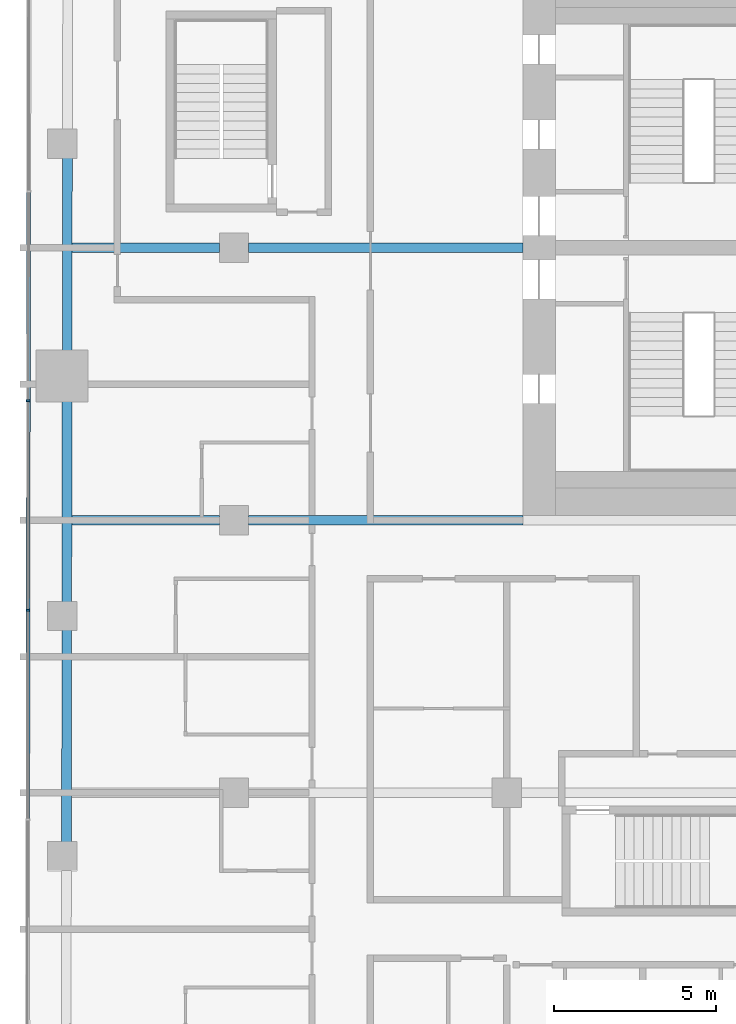
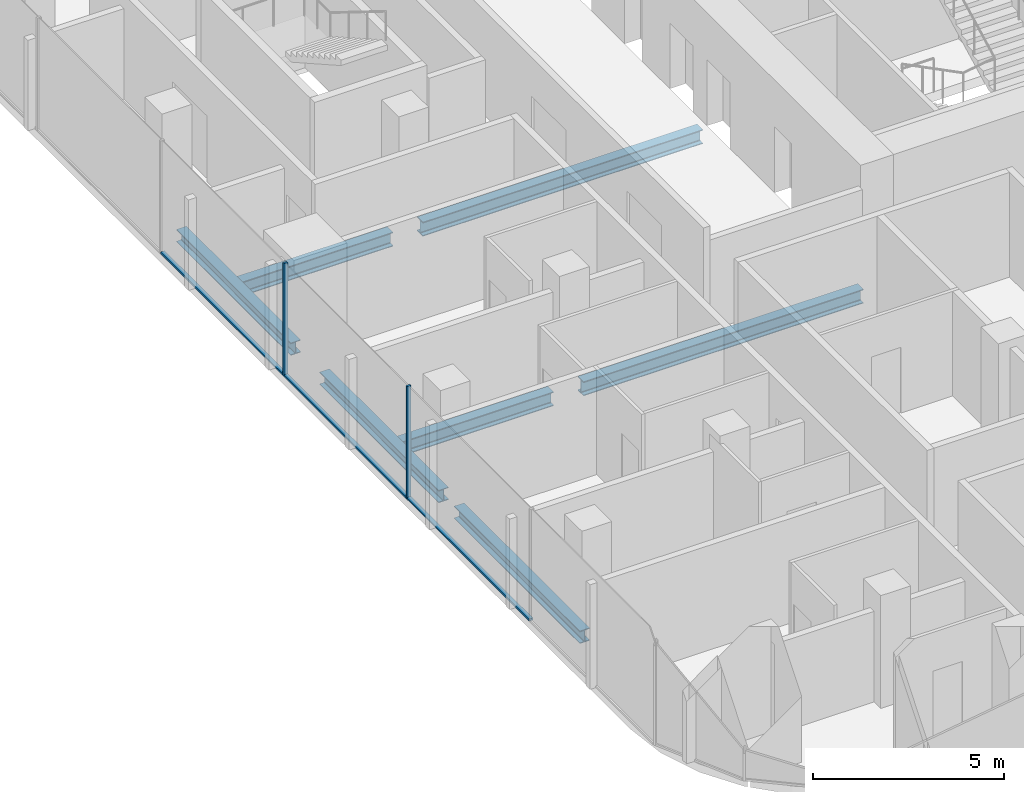
# One storey, part 4 of 23: 7 beams, 5 members, 1 element without a shape of its own.
"""IFC4 building model written with IfcOpenShell, lengths in metres."""

from ifc_helpers import new_model, si_unit, direction, frame, origin, origin_2d, place, context, subcontext, project, spatial, rectangle, i_section, extrude, material, layer, layer_set, material_profile, profile_set, type_object, element, aggregate, save


model = new_model("IFC4")

# Units and contexts
model_context = context("Model", 3, precision=1e-05, world=origin(), true_north=direction((0.0, 1.0)))
body_context = subcontext(model_context, "Body", "Model", "MODEL_VIEW")
ifc_project = project(units=[si_unit("LENGTHUNIT", "METRE"), si_unit("AREAUNIT", "SQUARE_METRE"), si_unit("VOLUMEUNIT", "CUBIC_METRE"), si_unit("PLANEANGLEUNIT", "RADIAN"), si_unit("MASSUNIT", "GRAM", prefix="KILO")], contexts=[model_context])

# Site, building, storey
site_placement = place(None, origin())
site = spatial("IfcSite", under=ifc_project, at=site_placement, CompositionType="ELEMENT")
building_placement = place(site_placement, origin())
building = spatial("IfcBuilding", under=site, at=building_placement, Name="Marenta Gate Hotel Tower", CompositionType="ELEMENT")
storey_placement = place(building_placement, frame((0.0, 0.0, 104.89990234375)))
storey = spatial("IfcBuildingStorey", under=building, at=storey_placement, Name="L22", CompositionType="ELEMENT", Elevation=104.89990234375)

# Beams
ifc_material_1 = material(Name="Steel S355", Category="steel")
ifc_material_profile_1 = material_profile(ifc_material_1, i_section(OverallWidth=0.300048828125, OverallDepth=0.39990234375, WebThickness=0.013427734375, FlangeThickness=0.02392578125, FilletRadius=0.027099609375, at=origin_2d()), Name="HEB 400")
ifc_profile_set_1 = profile_set([ifc_material_profile_1], Name="Steel S355")
beam_type_1 = type_object("IfcBeamType", Name="Edge beam HEB 400", PredefinedType="SPANDREL", material=ifc_profile_set_1)
beam_1_placement = place(storey_placement, frame((-26.167236328125, -9.94189453125, -0.4599609375), z_axis=(0.001372605919, 0.999999057976, 0.0), x_axis=(-0.999999057976, 0.001372605919, 0.0)))
element("IfcBeam", 1, at=beam_1_placement, inside=storey, type_object=beam_type_1, Name="L22-EB-6", PredefinedType="SPANDREL", context=body_context, shape_type="SweptSolid", body=[
    extrude(i_section(OverallWidth=0.300048828125, OverallDepth=0.39990234375, WebThickness=0.013427734375, FlangeThickness=0.02392578125, FilletRadius=0.027099609375, at=origin_2d()), origin(), (0.0, 0.0, 1.0), 6.5810546875),
])
beam_2_placement = place(storey_placement, frame((-26.156982421875, -2.541015625, -0.4599609375), z_axis=(0.001371364591, 0.999999059679, 0.0), x_axis=(-0.999999059679, 0.001371364591, 0.0)))
element("IfcBeam", 2, at=beam_2_placement, inside=storey, type_object=beam_type_1, Name="L22-EB-7", PredefinedType="SPANDREL", context=body_context, shape_type="SweptSolid", body=[
    extrude(i_section(OverallWidth=0.300048828125, OverallDepth=0.39990234375, WebThickness=0.013427734375, FlangeThickness=0.02392578125, FilletRadius=0.027099609375, at=origin_2d()), origin(), (0.0, 0.0, 1.0), 6.23095703125),
])
beam_3_placement = place(storey_placement, frame((-26.146484375, 5.2099609375, -0.4599609375), z_axis=(0.001387357379, 0.999999037619, 0.0), x_axis=(-0.999999037619, 0.001387357379, 0.0)))
element("IfcBeam", 3, at=beam_3_placement, inside=storey, type_object=beam_type_1, Name="L22-EB-8", PredefinedType="SPANDREL", context=body_context, shape_type="SweptSolid", body=[
    extrude(i_section(OverallWidth=0.300048828125, OverallDepth=0.39990234375, WebThickness=0.013427734375, FlangeThickness=0.02392578125, FilletRadius=0.027099609375, at=origin_2d()), origin(), (0.0, 0.0, 1.0), 5.983154296875),
])
ifc_material_2 = material(Name="Steel S355", Category="steel")
ifc_material_profile_2 = material_profile(ifc_material_2, i_section(OverallWidth=0.300048828125, OverallDepth=0.449951171875, WebThickness=0.013916015625, FlangeThickness=0.02587890625, FilletRadius=0.027099609375, at=origin_2d()), Name="HEB 450")
ifc_profile_set_2 = profile_set([ifc_material_profile_2], Name="Steel S355")
beam_type_2 = type_object("IfcBeamType", Name="Girder HEB 450", PredefinedType="BEAM", material=ifc_profile_set_2)
beam_4_placement = place(storey_placement, frame((-26.003662109375, 0.0, -0.48486328125), z_axis=(1.0, 0.0, 0.0), x_axis=(0.0, 1.0, 0.0)))
element("IfcBeam", 4, at=beam_4_placement, inside=storey, type_object=beam_type_2, Name="L22-GD-15", PredefinedType="BEAM", context=body_context, shape_type="SweptSolid", body=[
    extrude(i_section(OverallWidth=0.300048828125, OverallDepth=0.449951171875, WebThickness=0.013916015625, FlangeThickness=0.02587890625, FilletRadius=0.027099609375, at=origin_2d()), origin(), (0.0, 0.0, 1.0), 4.5537109375),
])
beam_5_placement = place(storey_placement, frame((-20.550048828125, 0.0, -0.48486328125), z_axis=(1.0, 0.0, 0.0), x_axis=(0.0, 1.0, 0.0)))
element("IfcBeam", 5, at=beam_5_placement, inside=storey, type_object=beam_type_2, Name="L22-GD-16", PredefinedType="BEAM", context=body_context, shape_type="SweptSolid", body=[
    extrude(i_section(OverallWidth=0.300048828125, OverallDepth=0.449951171875, WebThickness=0.013916015625, FlangeThickness=0.02587890625, FilletRadius=0.027099609375, at=origin_2d()), origin(), (0.0, 0.0, 1.0), 8.449951171875),
])
beam_6_placement = place(storey_placement, frame((-25.991943359375, 8.39990234375, -0.48486328125), z_axis=(1.0, 0.0, 0.0), x_axis=(0.0, 1.0, 0.0)))
element("IfcBeam", 6, at=beam_6_placement, inside=storey, type_object=beam_type_2, Name="L22-GD-20", PredefinedType="BEAM", context=body_context, shape_type="SweptSolid", body=[
    extrude(i_section(OverallWidth=0.300048828125, OverallDepth=0.449951171875, WebThickness=0.013916015625, FlangeThickness=0.02587890625, FilletRadius=0.027099609375, at=origin_2d()), origin(), (0.0, 0.0, 1.0), 4.5419921875),
])
beam_7_placement = place(storey_placement, frame((-20.550048828125, 8.39990234375, -0.48486328125), z_axis=(1.0, 0.0, 0.0), x_axis=(0.0, 1.0, 0.0)))
element("IfcBeam", 7, at=beam_7_placement, inside=storey, type_object=beam_type_2, Name="L22-GD-21", PredefinedType="BEAM", context=body_context, shape_type="SweptSolid", body=[
    extrude(i_section(OverallWidth=0.300048828125, OverallDepth=0.449951171875, WebThickness=0.013916015625, FlangeThickness=0.02587890625, FilletRadius=0.027099609375, at=origin_2d()), origin(), (0.0, 0.0, 1.0), 8.449951171875),
])

# Curtain wall, members
ifc_material_3 = material(Name="Tinted insulated glass in bronze anodised frame", Category="glass")
ifc_layer = layer(ifc_material_3, 0.1201171875)
ifc_layer_set = layer_set([ifc_layer], Name="Tinted insulated glass in bronze anodised frame")
curtain_wall_type = type_object("IfcCurtainWallType", Name="Tower unitised curtain wall CW1", PredefinedType="NOTDEFINED", material=ifc_layer_set)
curtain_wall_placement = place(storey_placement, origin())
curtain_wall = element("IfcCurtainWall", 8, at=curtain_wall_placement, inside=storey, type_object=curtain_wall_type, Name="CW1 run G03", PredefinedType="NOTDEFINED")
ifc_material_4 = material(Name="Bronze anodised aluminium", Category="aluminium")
ifc_material_profile_3 = material_profile(ifc_material_4, rectangle(XDim=0.1201171875, YDim=0.06005859375, at=origin_2d()), Name="Mullion CW1 60x120 bronze anodised aluminium")
ifc_profile_set_3 = profile_set([ifc_material_profile_3], Name="Bronze anodised aluminium")
member_type_1 = type_object("IfcMemberType", Name="Mullion CW1 60x120 bronze anodised aluminium", PredefinedType="MULLION", material=ifc_profile_set_3)
member_1_placement = place(storey_placement, frame((-27.342529296875, 3.686279296875, 0.0), z_axis=(0.0, 0.0, 1.0), x_axis=(0.99999877375, -0.001566045546, 0.0)))
member_1 = element("IfcMember", 9, at=member_1_placement, type_object=member_type_1, Name="CW1 mullion 4", PredefinedType="MULLION", context=body_context, shape_type="SweptSolid", body=[
    extrude(rectangle(XDim=0.1201171875, YDim=0.06005859375, at=origin_2d()), origin(), (0.0, 0.0, 1.0), 3.60009765625),
])
member_2_placement = place(storey_placement, frame((-27.352783203125, -2.773681640625, 0.0), z_axis=(0.0, 0.0, 1.0), x_axis=(0.99999877375, -0.001566045546, 0.0)))
member_2 = element("IfcMember", 10, at=member_2_placement, type_object=member_type_1, Name="CW1 mullion 5", PredefinedType="MULLION", context=body_context, shape_type="SweptSolid", body=[
    extrude(rectangle(XDim=0.1201171875, YDim=0.06005859375, at=origin_2d()), origin(), (0.0, 0.0, 1.0), 3.60009765625),
])
ifc_material_5 = material(Name="Bronze anodised aluminium", Category="aluminium")
ifc_material_profile_4 = material_profile(ifc_material_5, rectangle(XDim=0.1201171875, YDim=0.06005859375, at=origin_2d()), Name="Transom CW1 60x120 bronze anodised aluminium")
ifc_profile_set_4 = profile_set([ifc_material_profile_4], Name="Bronze anodised aluminium")
member_type_2 = type_object("IfcMemberType", Name="Transom CW1 60x120 bronze anodised aluminium", PredefinedType="USERDEFINED", material=ifc_profile_set_4)
member_3_placement = place(storey_placement, frame((-27.33251953125, 10.1162109375, 0.030029296875), z_axis=(-0.001564047831, -0.999998776876, 0.0), x_axis=(0.999998776876, -0.001564047831, 0.0)))
member_3 = element("IfcMember", 11, at=member_3_placement, type_object=member_type_2, Name="CW1 transom 3.1", ObjectType="TRANSOM", PredefinedType="USERDEFINED", context=body_context, shape_type="SweptSolid", body=[
    extrude(rectangle(XDim=0.1201171875, YDim=0.06005859375, at=origin_2d()), origin(), (0.0, 0.0, 1.0), 6.39990234375),
])
member_4_placement = place(storey_placement, frame((-27.3427734375, 3.65625, 0.030029296875), z_axis=(-0.001563988169, -0.99999877697, 0.0), x_axis=(0.99999877697, -0.001563988169, 0.0)))
member_4 = element("IfcMember", 12, at=member_4_placement, type_object=member_type_2, Name="CW1 transom 4.1", ObjectType="TRANSOM", PredefinedType="USERDEFINED", context=body_context, shape_type="SweptSolid", body=[
    extrude(rectangle(XDim=0.1201171875, YDim=0.06005859375, at=origin_2d()), origin(), (0.0, 0.0, 1.0), 6.400146484375),
])
member_5_placement = place(storey_placement, frame((-27.352783203125, -2.8037109375, 0.030029296875), z_axis=(-0.001563988169, -0.99999877697, 0.0), x_axis=(0.99999877697, -0.001563988169, 0.0)))
member_5 = element("IfcMember", 13, at=member_5_placement, type_object=member_type_2, Name="CW1 transom 5.1", ObjectType="TRANSOM", PredefinedType="USERDEFINED", context=body_context, shape_type="SweptSolid", body=[
    extrude(rectangle(XDim=0.1201171875, YDim=0.06005859375, at=origin_2d()), origin(), (0.0, 0.0, 1.0), 6.400146484375),
])
aggregate(curtain_wall, [member_1, member_2, member_3, member_4, member_5])

save(model, "model.ifc")
